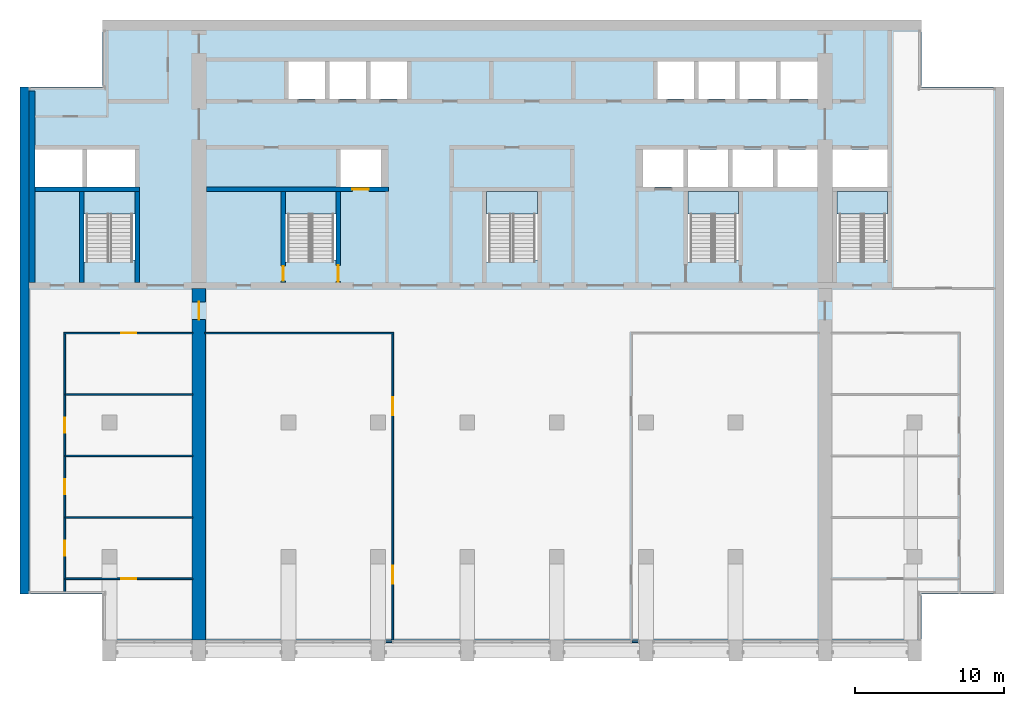
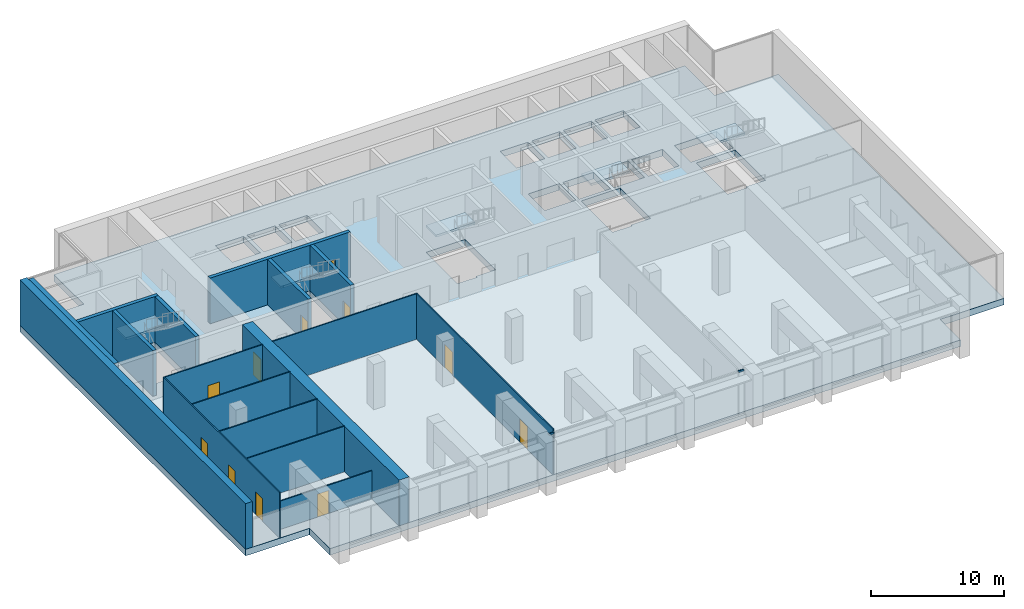
# One storey, part 6 of 13: 17 walls, 11 doors, 6 slabs, 2 members, 11 openings, 7 elements without a shape of their own.
"""IFC4 building model written with IfcOpenShell, lengths in metres."""

from ifc_helpers import new_model, si_unit, direction, frame, frame_2d, origin, origin_2d, place, context, subcontext, project, spatial, polyline, rectangle, outline, extrude, material, layer, layer_set, material_profile, profile_set, type_object, element, fill, aggregate, save


model = new_model("IFC4")

# Units and contexts
model_context = context("Model", 3, precision=1e-05, world=origin(), true_north=direction((0.0, 1.0)))
body_context = subcontext(model_context, "Body", "Model", "MODEL_VIEW")
ifc_project = project(units=[si_unit("LENGTHUNIT", "METRE"), si_unit("AREAUNIT", "SQUARE_METRE"), si_unit("VOLUMEUNIT", "CUBIC_METRE"), si_unit("PLANEANGLEUNIT", "RADIAN"), si_unit("MASSUNIT", "GRAM", prefix="KILO")], contexts=[model_context])

# Site, building, storey
site_placement = place(None, origin())
site = spatial("IfcSite", under=ifc_project, at=site_placement, CompositionType="ELEMENT")
building_placement = place(site_placement, origin())
building = spatial("IfcBuilding", under=site, at=building_placement, Name="Calvaro Tower", CompositionType="ELEMENT")
storey_placement = place(building_placement, frame((0.0, 0.0, 226.75)))
storey = spatial("IfcBuildingStorey", under=building, at=storey_placement, Name="L57", CompositionType="ELEMENT", Elevation=226.75)

# Curtain wall, member
ifc_material_1 = material(Name="Anodised aluminium", Category="aluminium")
curtain_wall_type = type_object("IfcCurtainWallType", Name="Louvre wall", PredefinedType="NOTDEFINED", material=ifc_material_1)
curtain_wall_1_placement = place(storey_placement, origin())
curtain_wall_1 = element("IfcCurtainWall", 1, at=curtain_wall_1_placement, inside=storey, type_object=curtain_wall_type, Name="CW8 south louvre wall", PredefinedType="NOTDEFINED")
ifc_material_2 = material(Name="Anodised aluminium", Category="aluminium")
ifc_material_profile = material_profile(ifc_material_2, rectangle(XDim=0.1201171875, YDim=0.10009765625, at=origin_2d()), Name="Transom LV 100 x 120")
ifc_profile_set = profile_set([ifc_material_profile], Name="Anodised aluminium")
member_type = type_object("IfcMemberType", Name="Transom LV 100 x 120", PredefinedType="USERDEFINED", material=ifc_profile_set)
member_1_placement = place(storey_placement, frame((30.530029296875, 4.300048828125, 3.949951171875), z_axis=(1.0, 0.0, 0.0), x_axis=(0.0, 1.0, 0.0)))
member_1 = element("IfcMember", 2, at=member_1_placement, type_object=member_type, Name="CW8 transom 1.1", ObjectType="TRANSOM", PredefinedType="USERDEFINED", context=body_context, shape_type="SweptSolid", body=[
    extrude(rectangle(XDim=0.1201171875, YDim=0.10009765625, at=origin_2d()), origin(), (0.0, 0.0, 1.0), 0.429931640625),
])
aggregate(curtain_wall_1, [member_1])

curtain_wall_2_placement = place(storey_placement, origin())
curtain_wall_2 = element("IfcCurtainWall", 3, at=curtain_wall_2_placement, inside=storey, type_object=curtain_wall_type, Name="CW8 south louvre wall", PredefinedType="NOTDEFINED")
member_2_placement = place(storey_placement, frame((47.0400390625, 4.300048828125, 3.949951171875), z_axis=(1.0, 0.0, 0.0), x_axis=(0.0, 1.0, 0.0)))
member_2 = element("IfcMember", 4, at=member_2_placement, type_object=member_type, Name="CW8 transom 2.1", ObjectType="TRANSOM", PredefinedType="USERDEFINED", context=body_context, shape_type="SweptSolid", body=[
    extrude(rectangle(XDim=0.1201171875, YDim=0.10009765625, at=origin_2d()), origin(), (0.0, 0.0, 1.0), 0.429931640625),
])
aggregate(curtain_wall_2, [member_2])

# Slab
ifc_material_3 = material(Name="Concrete C40/50", Category="concrete")
ifc_layer_1 = layer(ifc_material_3, 0.60009765625)
ifc_layer_set_1 = layer_set([ifc_layer_1], Name="Concrete C40/50")
slab_type_1 = type_object("IfcSlabType", Name="Floor slab 600 C40/50", PredefinedType="FLOOR", material=ifc_layer_set_1)
slab_1_placement = place(storey_placement, frame((0.0, 0.0, -0.60009765625)))
element("IfcSlab", 5, at=slab_1_placement, inside=storey, type_object=slab_type_1, Name="Floor slab", PredefinedType="FLOOR", context=body_context, shape_type="SweptSolid", body=[
    extrude(outline(polyline([(66.449951171875, 7.5), (66.449951171875, 4.39990234375), (11.550048828125, 4.39990234375), (11.550048828125, 7.5), (6.0, 7.5), (6.0, 41.5), (11.550048828125, 41.5), (11.550048828125, 46.0), (66.449951171875, 46.0), (66.449951171875, 41.5), (72.0, 41.5), (72.0, 7.5), (66.449951171875, 7.5)]), holes=[polyline([(12.0, 29.760009765625), (10.300048828125, 29.760009765625), (10.300048828125, 34.5), (12.0, 34.5), (13.699951171875, 34.5), (13.699951171875, 29.909912109375), (12.0, 29.909912109375), (12.0, 29.760009765625)]), polyline([(25.5, 29.760009765625), (23.800048828125, 29.760009765625), (23.800048828125, 34.5), (25.5, 34.5), (27.199951171875, 34.5), (27.199951171875, 29.909912109375), (25.5, 29.909912109375), (25.5, 29.760009765625)]), polyline([(39.0, 29.760009765625), (37.300048828125, 29.760009765625), (37.300048828125, 34.5), (39.0, 34.5), (40.699951171875, 34.5), (40.699951171875, 29.909912109375), (39.0, 29.909912109375), (39.0, 29.760009765625)]), polyline([(52.5, 29.760009765625), (50.800048828125, 29.760009765625), (50.800048828125, 34.5), (52.5, 34.5), (54.199951171875, 34.5), (54.199951171875, 29.909912109375), (52.5, 29.909912109375), (52.5, 29.760009765625)]), polyline([(62.5, 29.760009765625), (60.800048828125, 29.760009765625), (60.800048828125, 34.5), (62.5, 34.5), (64.199951171875, 34.5), (64.199951171875, 29.909912109375), (62.5, 29.909912109375), (62.5, 29.760009765625)]), polyline([(50.800048828125, 34.800048828125), (53.5, 34.800048828125), (53.5, 37.300048828125), (50.800048828125, 37.300048828125), (50.800048828125, 34.800048828125)]), polyline([(53.800048828125, 34.800048828125), (56.5, 34.800048828125), (56.5, 37.300048828125), (53.800048828125, 37.300048828125), (53.800048828125, 34.800048828125)]), polyline([(56.800048828125, 34.800048828125), (59.5, 34.800048828125), (59.5, 37.300048828125), (56.800048828125, 37.300048828125), (56.800048828125, 34.800048828125)]), polyline([(24.0, 40.699951171875), (26.449951171875, 40.699951171875), (26.449951171875, 43.199951171875), (24.0, 43.199951171875), (24.0, 40.699951171875)]), polyline([(26.75, 40.699951171875), (29.199951171875, 40.699951171875), (29.199951171875, 43.199951171875), (26.75, 43.199951171875), (26.75, 40.699951171875)]), polyline([(29.5, 40.699951171875), (31.949951171875, 40.699951171875), (31.949951171875, 43.199951171875), (29.5, 43.199951171875), (29.5, 40.699951171875)]), polyline([(48.75, 40.699951171875), (51.199951171875, 40.699951171875), (51.199951171875, 43.199951171875), (48.75, 43.199951171875), (48.75, 40.699951171875)]), polyline([(51.5, 40.699951171875), (53.949951171875, 40.699951171875), (53.949951171875, 43.199951171875), (51.5, 43.199951171875), (51.5, 40.699951171875)]), polyline([(54.25, 40.699951171875), (56.699951171875, 40.699951171875), (56.699951171875, 43.199951171875), (54.25, 43.199951171875), (54.25, 40.699951171875)]), polyline([(57.0, 40.699951171875), (59.5, 40.699951171875), (59.5, 43.199951171875), (57.0, 43.199951171875), (57.0, 40.699951171875)]), polyline([(7.0, 34.800048828125), (10.199951171875, 34.800048828125), (10.199951171875, 37.300048828125), (7.0, 37.300048828125), (7.0, 34.800048828125)]), polyline([(10.5, 34.800048828125), (13.699951171875, 34.800048828125), (13.699951171875, 37.300048828125), (10.5, 37.300048828125), (10.5, 34.800048828125)]), polyline([(60.5, 34.800048828125), (64.199951171875, 34.800048828125), (64.199951171875, 37.300048828125), (60.5, 37.300048828125), (60.5, 34.800048828125)]), polyline([(27.5, 34.800048828125), (30.199951171875, 34.800048828125), (30.199951171875, 37.300048828125), (27.5, 37.300048828125), (27.5, 34.800048828125)]), polyline([(47.800048828125, 34.800048828125), (50.5, 34.800048828125), (50.5, 37.300048828125), (47.800048828125, 37.300048828125), (47.800048828125, 34.800048828125)])]), origin(), (0.0, 0.0, 1.0), 0.60009765625),
])

# Stair, slab
ifc_material_4 = material(Name="Concrete C40/50", Category="concrete")
stair_type = type_object("IfcStairType", Name="Exit stair 1400 2 flights", PredefinedType="HALF_TURN_STAIR", material=ifc_material_4)
stair_1_placement = place(storey_placement, origin())
stair_1 = element("IfcStair", 6, at=stair_1_placement, inside=storey, type_object=stair_type, Name="Exit stair S1", PredefinedType="HALF_TURN_STAIR")
ifc_material_5 = material(Name="Concrete C40/50", Category="concrete")
ifc_layer_2 = layer(ifc_material_5, 0.199951171875)
ifc_layer_set_2 = layer_set([ifc_layer_2], Name="Concrete C40/50")
slab_type_2 = type_object("IfcSlabType", Name="Stair landing", PredefinedType="LANDING", material=ifc_layer_set_2)
slab_2_placement = place(storey_placement, frame((0.0, 0.0, 2.300048828125)))
slab_2 = element("IfcSlab", 7, at=slab_2_placement, type_object=slab_type_2, Name="Exit stair 1, landing 1", PredefinedType="LANDING", context=body_context, shape_type="SweptSolid", body=[
    extrude(outline(polyline([(11.89990234375, 32.989990234375), (10.5, 32.989990234375), (10.5, 33.0), (10.300048828125, 33.0), (10.300048828125, 34.5), (10.5, 34.5), (11.89990234375, 34.5), (12.10009765625, 34.5), (13.5, 34.5), (13.699951171875, 34.5), (13.699951171875, 33.0), (13.5, 33.0), (13.5, 32.989990234375), (12.10009765625, 32.989990234375), (12.10009765625, 33.0), (11.89990234375, 33.0), (11.89990234375, 32.989990234375)])), origin(), (0.0, 0.0, 1.0), 0.199951171875),
])
aggregate(stair_1, [slab_2])

stair_2_placement = place(storey_placement, origin())
stair_2 = element("IfcStair", 8, at=stair_2_placement, inside=storey, type_object=stair_type, Name="Exit stair S2", PredefinedType="HALF_TURN_STAIR")
slab_3_placement = place(storey_placement, frame((0.0, 0.0, 2.300048828125)))
slab_3 = element("IfcSlab", 9, at=slab_3_placement, type_object=slab_type_2, Name="Exit stair 2, landing 1", PredefinedType="LANDING", context=body_context, shape_type="SweptSolid", body=[
    extrude(outline(polyline([(25.39990234375, 32.989990234375), (24.0, 32.989990234375), (24.0, 33.0), (23.800048828125, 33.0), (23.800048828125, 34.5), (24.0, 34.5), (25.39990234375, 34.5), (25.60009765625, 34.5), (27.0, 34.5), (27.199951171875, 34.5), (27.199951171875, 33.0), (27.0, 33.0), (27.0, 32.989990234375), (25.60009765625, 32.989990234375), (25.60009765625, 33.0), (25.39990234375, 33.0), (25.39990234375, 32.989990234375)])), origin(), (0.0, 0.0, 1.0), 0.199951171875),
])
aggregate(stair_2, [slab_3])

stair_3_placement = place(storey_placement, origin())
stair_3 = element("IfcStair", 10, at=stair_3_placement, inside=storey, type_object=stair_type, Name="Exit stair S3", PredefinedType="HALF_TURN_STAIR")
slab_4_placement = place(storey_placement, frame((0.0, 0.0, 2.300048828125)))
slab_4 = element("IfcSlab", 11, at=slab_4_placement, type_object=slab_type_2, Name="Exit stair 3, landing 1", PredefinedType="LANDING", context=body_context, shape_type="SweptSolid", body=[
    extrude(outline(polyline([(38.89990234375, 32.989990234375), (37.5, 32.989990234375), (37.5, 33.0), (37.300048828125, 33.0), (37.300048828125, 34.5), (37.5, 34.5), (38.89990234375, 34.5), (39.10009765625, 34.5), (40.5, 34.5), (40.699951171875, 34.5), (40.699951171875, 33.0), (40.5, 33.0), (40.5, 32.989990234375), (39.10009765625, 32.989990234375), (39.10009765625, 33.0), (38.89990234375, 33.0), (38.89990234375, 32.989990234375)])), origin(), (0.0, 0.0, 1.0), 0.199951171875),
])
aggregate(stair_3, [slab_4])

stair_4_placement = place(storey_placement, origin())
stair_4 = element("IfcStair", 12, at=stair_4_placement, inside=storey, type_object=stair_type, Name="Exit stair S4", PredefinedType="HALF_TURN_STAIR")
slab_5_placement = place(storey_placement, frame((0.0, 0.0, 2.300048828125)))
slab_5 = element("IfcSlab", 13, at=slab_5_placement, type_object=slab_type_2, Name="Exit stair 4, landing 1", PredefinedType="LANDING", context=body_context, shape_type="SweptSolid", body=[
    extrude(outline(polyline([(52.39990234375, 32.989990234375), (51.0, 32.989990234375), (51.0, 33.0), (50.800048828125, 33.0), (50.800048828125, 34.5), (51.0, 34.5), (52.39990234375, 34.5), (52.60009765625, 34.5), (54.0, 34.5), (54.199951171875, 34.5), (54.199951171875, 33.0), (54.0, 33.0), (54.0, 32.989990234375), (52.60009765625, 32.989990234375), (52.60009765625, 33.0), (52.39990234375, 33.0), (52.39990234375, 32.989990234375)])), origin(), (0.0, 0.0, 1.0), 0.199951171875),
])
aggregate(stair_4, [slab_5])

stair_5_placement = place(storey_placement, origin())
stair_5 = element("IfcStair", 14, at=stair_5_placement, inside=storey, type_object=stair_type, Name="Exit stair S5", PredefinedType="HALF_TURN_STAIR")
slab_6_placement = place(storey_placement, frame((0.0, 0.0, 2.300048828125)))
slab_6 = element("IfcSlab", 15, at=slab_6_placement, type_object=slab_type_2, Name="Exit stair 5, landing 1", PredefinedType="LANDING", context=body_context, shape_type="SweptSolid", body=[
    extrude(outline(polyline([(62.39990234375, 32.989990234375), (61.0, 32.989990234375), (61.0, 33.0), (60.800048828125, 33.0), (60.800048828125, 34.5), (61.0, 34.5), (62.39990234375, 34.5), (62.60009765625, 34.5), (64.0, 34.5), (64.199951171875, 34.5), (64.199951171875, 33.0), (64.0, 33.0), (64.0, 32.989990234375), (62.60009765625, 32.989990234375), (62.60009765625, 33.0), (62.39990234375, 33.0), (62.39990234375, 32.989990234375)])), origin(), (0.0, 0.0, 1.0), 0.199951171875),
])
aggregate(stair_5, [slab_6])

# Walls
ifc_material_6 = material(Name="Concrete C50/60", Category="concrete")
ifc_layer_3 = layer(ifc_material_6, 0.300048828125)
ifc_layer_set_3 = layer_set([ifc_layer_3], Name="Concrete C50/60")
wall_type_1 = type_object("IfcWallType", Name="Core wall C50/60 300", PredefinedType="SHEAR", material=ifc_layer_set_3)
for number, where, z_axis, x_axis, name in (
    (16, (10.14990234375, 28.39990234375, 0.0), (0.0, 0.0, 1.0), (0.0, 1.0, 0.0), "Core wall, stair enclosure"),
    (17, (13.85009765625, 28.39990234375, 0.0), (0.0, 0.0, 1.0), (0.0, 1.0, 0.0), "Core wall, stair enclosure"),
):
    element("IfcWall", number, at=place(storey_placement, frame(where, z_axis=z_axis, x_axis=x_axis)), inside=storey, type_object=wall_type_1, Name=name, PredefinedType="SHEAR", context=body_context, shape_type="SweptSolid", body=[
        extrude(rectangle(XDim=6.10009765625, YDim=0.300048828125, at=frame_2d((3.050048828125, 0.0))), origin(), (0.0, 0.0, 1.0), 4.199951171875),
    ])

# Wall, opening, door
wall_1_placement = place(storey_placement, frame((23.64990234375, 34.5, 0.0), z_axis=(0.0, 0.0, 1.0), x_axis=(0.0, -1.0, 0.0)))
wall_1 = element("IfcWall", 18, at=wall_1_placement, inside=storey, type_object=wall_type_1, Name="Core wall, stair enclosure", PredefinedType="SHEAR", context=body_context, shape_type="SweptSolid", body=[
    extrude(rectangle(XDim=6.10009765625, YDim=0.300048828125, at=frame_2d((3.050048828125, 0.0))), origin(), (0.0, 0.0, 1.0), 4.199951171875),
])
opening_1_placement = place(wall_1_placement, frame((5.0, 0.0, 0.0)))
opening_1 = element("IfcOpeningElement", 19, at=opening_1_placement, cuts=wall_1, Name="Opening FD10D", PredefinedType="OPENING", context=body_context, shape_type="SweptSolid", body=[
    extrude(rectangle(XDim=1.0, YDim=2.10009765625, at=frame_2d((0.5, 1.050048828125))), frame((0.0, 0.159912109375, 0.0), z_axis=(0.0, -1.0, 0.0), x_axis=(1.0, 0.0, 0.0)), (0.0, 0.0, 1.0), 0.320068359375),
])
ifc_material_7 = material(Name="Steel door set", Category="steel")
door_type_1 = type_object("IfcDoorType", Name="Fire door 1000 FD30S", OperationType="SINGLE_SWING_LEFT", PredefinedType="DOOR", material=ifc_material_7)
door_1_placement = place(opening_1_placement, origin())
door_1 = element("IfcDoor", 20, at=door_1_placement, inside=storey, type_object=door_type_1, Name="Fire door", OperationType="SINGLE_SWING_RIGHT", OverallHeight=2.10009765625, OverallWidth=1.0, PredefinedType="DOOR", context=body_context, shape_type="SweptSolid", body=[
    extrude(rectangle(XDim=1.0, YDim=2.10009765625, at=frame_2d((0.5, 1.050048828125))), frame((0.0, 0.02490234375, 0.0), z_axis=(0.0, -1.0, 0.0), x_axis=(1.0, 0.0, 0.0)), (0.0, 0.0, 1.0), 0.050048828125),
])
fill(opening_1, door_1)

wall_2_placement = place(storey_placement, frame((27.35009765625, 28.39990234375, 0.0), z_axis=(0.0, 0.0, 1.0), x_axis=(0.0, 1.0, 0.0)))
wall_2 = element("IfcWall", 21, at=wall_2_placement, inside=storey, type_object=wall_type_1, Name="Core wall, stair enclosure", PredefinedType="SHEAR", context=body_context, shape_type="SweptSolid", body=[
    extrude(rectangle(XDim=6.10009765625, YDim=0.300048828125, at=frame_2d((3.050048828125, 0.0))), origin(), (0.0, 0.0, 1.0), 4.199951171875),
])
opening_2_placement = place(wall_2_placement, frame((0.050048828125, 0.0, 0.0)))
opening_2 = element("IfcOpeningElement", 22, at=opening_2_placement, cuts=wall_2, Name="Opening FD11D", PredefinedType="OPENING", context=body_context, shape_type="SweptSolid", body=[
    extrude(rectangle(XDim=1.10009765625, YDim=2.10009765625, at=frame_2d((0.550048828125, 1.050048828125))), frame((0.0, 0.159912109375, 0.0), z_axis=(0.0, -1.0, 0.0), x_axis=(1.0, 0.0, 0.0)), (0.0, 0.0, 1.0), 0.320068359375),
])
ifc_material_8 = material(Name="Steel door set", Category="steel")
door_type_2 = type_object("IfcDoorType", Name="Fire door 1100 FD30S", OperationType="SINGLE_SWING_LEFT", PredefinedType="DOOR", material=ifc_material_8)
door_2_placement = place(opening_2_placement, origin())
door_2 = element("IfcDoor", 23, at=door_2_placement, inside=storey, type_object=door_type_2, Name="Fire door", OperationType="SINGLE_SWING_LEFT", OverallHeight=2.10009765625, OverallWidth=1.10009765625, PredefinedType="DOOR", context=body_context, shape_type="SweptSolid", body=[
    extrude(rectangle(XDim=1.10009765625, YDim=2.10009765625, at=frame_2d((0.550048828125, 1.050048828125))), frame((0.0, 0.02490234375, 0.0), z_axis=(0.0, -1.0, 0.0), x_axis=(1.0, 0.0, 0.0)), (0.0, 0.0, 1.0), 0.050048828125),
])
fill(opening_2, door_2)

# Wall
wall_3_placement = place(storey_placement, frame((7.0, 34.64990234375, 0.0), z_axis=(0.0, 0.0, 1.0), x_axis=(1.0, 0.0, 0.0)))
element("IfcWall", 24, at=wall_3_placement, inside=storey, type_object=wall_type_1, Name="Core wall, lift shaft", PredefinedType="SHEAR", context=body_context, shape_type="SweptSolid", body=[
    extrude(rectangle(XDim=7.0, YDim=0.300048828125, at=frame_2d((3.5, 0.0))), origin(), (0.0, 0.0, 1.0), 4.199951171875),
])

# Wall, opening, door
wall_4_placement = place(storey_placement, frame((18.5, 34.64990234375, 0.0), z_axis=(0.0, 0.0, 1.0), x_axis=(1.0, 0.0, 0.0)))
wall_4 = element("IfcWall", 25, at=wall_4_placement, inside=storey, type_object=wall_type_1, Name="Core wall, lift shaft", PredefinedType="SHEAR", context=body_context, shape_type="SweptSolid", body=[
    extrude(rectangle(XDim=12.199951171875, YDim=0.300048828125, at=frame_2d((6.10009765625, 0.0))), origin(), (0.0, 0.0, 1.0), 4.199951171875),
])
opening_3_placement = place(wall_4_placement, frame((9.800048828125, 0.0, 0.0)))
opening_3 = element("IfcOpeningElement", 26, at=opening_3_placement, cuts=wall_4, Name="Opening FF1", PredefinedType="OPENING", context=body_context, shape_type="SweptSolid", body=[
    extrude(rectangle(XDim=1.10009765625, YDim=2.10009765625, at=frame_2d((0.550048828125, 1.050048828125))), frame((0.0, 0.159912109375, 0.0), z_axis=(0.0, -1.0, 0.0), x_axis=(1.0, 0.0, 0.0)), (0.0, 0.0, 1.0), 0.320068359375),
])
ifc_material_9 = material(Name="Stainless steel", Category="steel")
door_type_3 = type_object("IfcDoorType", Name="Landing door 1100 E 60", OperationType="SLIDING_TO_LEFT", PredefinedType="DOOR", material=ifc_material_9)
door_3_placement = place(opening_3_placement, origin())
door_3 = element("IfcDoor", 27, at=door_3_placement, inside=storey, type_object=door_type_3, Name="Landing door FF1", OperationType="SLIDING_TO_LEFT", OverallHeight=2.10009765625, OverallWidth=1.10009765625, PredefinedType="DOOR", context=body_context, shape_type="SweptSolid", body=[
    extrude(rectangle(XDim=1.10009765625, YDim=2.10009765625, at=frame_2d((0.550048828125, 1.050048828125))), frame((0.0, 0.02490234375, 0.0), z_axis=(0.0, -1.0, 0.0), x_axis=(1.0, 0.0, 0.0)), (0.0, 0.0, 1.0), 0.050048828125),
])
fill(opening_3, door_3)

# Walls
ifc_material_10 = material(Name="Concrete C50/60", Category="concrete")
ifc_layer_4 = layer(ifc_material_10, 0.39990234375)
ifc_layer_set_4 = layer_set([ifc_layer_4], Name="Concrete C50/60")
wall_type_2 = type_object("IfcWallType", Name="Core wall C50/60 400", PredefinedType="SHEAR", material=ifc_layer_set_4)
wall_5_placement = place(storey_placement, frame((6.800048828125, 28.39990234375, 0.0), z_axis=(0.0, 0.0, 1.0), x_axis=(0.0, 1.0, 0.0)))
element("IfcWall", 28, at=wall_5_placement, inside=storey, type_object=wall_type_2, Name="Core wall, boundary", PredefinedType="SHEAR", context=body_context, shape_type="SweptSolid", body=[
    extrude(rectangle(XDim=12.85009765625, YDim=0.39990234375, at=frame_2d((6.425048828125, 0.0))), origin(), (0.0, 0.0, 1.0), 4.199951171875),
])
ifc_material_11 = material(Name="Concrete C50/60", Category="concrete")
ifc_layer_5 = layer(ifc_material_11, 0.60009765625)
ifc_layer_set_5 = layer_set([ifc_layer_5], Name="Concrete C50/60")
wall_type_3 = type_object("IfcWallType", Name="End wall 600 C50/60", PredefinedType="SHEAR", material=ifc_layer_set_5)
wall_6_placement = place(storey_placement, frame((6.300048828125, 7.5, 0.0), z_axis=(0.0, 0.0, 1.0), x_axis=(0.0, 1.0, 0.0)))
element("IfcWall", 29, at=wall_6_placement, inside=storey, type_object=wall_type_3, Name="End shear wall", PredefinedType="SHEAR", context=body_context, shape_type="SweptSolid", body=[
    extrude(rectangle(XDim=34.0, YDim=0.60009765625, at=frame_2d((17.0, 0.0))), origin(), (0.0, 0.0, 1.0), 4.199951171875),
])

# Wall, opening, door
ifc_material_12 = material(Name="Concrete C50/60", Category="concrete")
ifc_layer_6 = layer(ifc_material_12, 0.89990234375)
ifc_layer_set_6 = layer_set([ifc_layer_6], Name="Concrete C50/60")
wall_type_4 = type_object("IfcWallType", Name="Outrigger wall 900 C50/60", PredefinedType="SHEAR", material=ifc_layer_set_6)
wall_7_placement = place(storey_placement, frame((18.0, 4.39990234375, 0.0), z_axis=(0.0, 0.0, 1.0), x_axis=(0.0, 1.0, 0.0)))
wall_7 = element("IfcWall", 30, at=wall_7_placement, inside=storey, type_object=wall_type_4, Name="Outrigger wall", PredefinedType="SHEAR", context=body_context, shape_type="SweptSolid", body=[
    extrude(rectangle(XDim=23.60009765625, YDim=0.89990234375, at=frame_2d((11.800048828125, 0.0))), origin(), (0.0, 0.0, 1.0), 4.199951171875),
])
opening_4_placement = place(wall_7_placement, frame((21.5, 0.0, 0.0)))
opening_4 = element("IfcOpeningElement", 31, at=opening_4_placement, cuts=wall_7, Name="Opening T33.016", PredefinedType="OPENING", context=body_context, shape_type="SweptSolid", body=[
    extrude(rectangle(XDim=1.199951171875, YDim=2.10009765625, at=frame_2d((0.60009765625, 1.050048828125))), frame((0.0, 0.4599609375, 0.0), z_axis=(0.0, -1.0, 0.0), x_axis=(1.0, 0.0, 0.0)), (0.0, 0.0, 1.0), 0.919921875),
])
ifc_material_13 = material(Name="Timber", Category="wood")
door_type_4 = type_object("IfcDoorType", Name="Internal single door 1200 x 2100 FD30S", OperationType="SINGLE_SWING_LEFT", PredefinedType="DOOR", material=ifc_material_13)
door_4_placement = place(opening_4_placement, origin())
door_4 = element("IfcDoor", 32, at=door_4_placement, inside=storey, type_object=door_type_4, Name="Door T33.016", OperationType="SINGLE_SWING_LEFT", OverallHeight=2.10009765625, OverallWidth=1.199951171875, PredefinedType="DOOR", context=body_context, shape_type="SweptSolid", body=[
    extrude(rectangle(XDim=1.199951171875, YDim=2.10009765625, at=frame_2d((0.60009765625, 1.050048828125))), frame((0.0, 0.02490234375, 0.0), z_axis=(0.0, -1.0, 0.0), x_axis=(1.0, 0.0, 0.0)), (0.0, 0.0, 1.0), 0.050048828125),
])
fill(opening_4, door_4)

ifc_material_14 = material(Name="Plasterboard on steel studs", Category="steel")
ifc_layer_7 = layer(ifc_material_14, 0.10009765625)
ifc_layer_set_7 = layer_set([ifc_layer_7], Name="Plasterboard on steel studs")
wall_type_5 = type_object("IfcWallType", Name="Partition 100 REI 120", PredefinedType="PARTITIONING", material=ifc_layer_set_7)
wall_8_placement = place(storey_placement, frame((9.050048828125, 8.52001953125, 0.0), z_axis=(0.0, 0.0, 1.0), x_axis=(1.0, 0.0, 0.0)))
wall_8 = element("IfcWall", 33, at=wall_8_placement, inside=storey, type_object=wall_type_5, Name="Partition T33.W001", PredefinedType="PARTITIONING", context=body_context, shape_type="SweptSolid", body=[
    extrude(rectangle(XDim=8.550048828125, YDim=0.10009765625, at=frame_2d((4.27490234375, 0.0))), origin(), (0.0, 0.0, 1.0), 2.60009765625),
])
opening_5_placement = place(wall_8_placement, frame((3.75, 0.0, 0.0)))
opening_5 = element("IfcOpeningElement", 34, at=opening_5_placement, cuts=wall_8, Name="Opening T33.001", PredefinedType="OPENING", context=body_context, shape_type="SweptSolid", body=[
    extrude(rectangle(XDim=1.0, YDim=2.10009765625, at=frame_2d((0.5, 1.050048828125))), frame((0.0, 0.06005859375, 0.0), z_axis=(0.0, -1.0, 0.0), x_axis=(1.0, 0.0, 0.0)), (0.0, 0.0, 1.0), 0.1201171875),
])
ifc_material_15 = material(Name="Timber", Category="wood")
door_type_5 = type_object("IfcDoorType", Name="Internal single door 1000 x 2100 FD60", OperationType="SINGLE_SWING_LEFT", PredefinedType="DOOR", material=ifc_material_15)
door_5_placement = place(opening_5_placement, origin())
door_5 = element("IfcDoor", 35, at=door_5_placement, inside=storey, type_object=door_type_5, Name="Door T33.001", OperationType="SINGLE_SWING_LEFT", OverallHeight=2.10009765625, OverallWidth=1.0, PredefinedType="DOOR", context=body_context, shape_type="SweptSolid", body=[
    extrude(rectangle(XDim=1.0, YDim=2.10009765625, at=frame_2d((0.5, 1.050048828125))), frame((0.0, 0.02490234375, 0.0), z_axis=(0.0, -1.0, 0.0), x_axis=(1.0, 0.0, 0.0)), (0.0, 0.0, 1.0), 0.050048828125),
])
fill(opening_5, door_5)

# Walls
for number, where, z_axis, x_axis, name in (
    (36, (9.050048828125, 12.639892578125, 0.0), (0.0, 0.0, 1.0), (1.0, 0.0, 0.0), "Partition T33.W003"),
    (37, (9.050048828125, 16.760009765625, 0.0), (0.0, 0.0, 1.0), (1.0, 0.0, 0.0), "Partition T33.W005"),
    (38, (9.050048828125, 20.8798828125, 0.0), (0.0, 0.0, 1.0), (1.0, 0.0, 0.0), "Partition T33.W007"),
):
    element("IfcWall", number, at=place(storey_placement, frame(where, z_axis=z_axis, x_axis=x_axis)), inside=storey, type_object=wall_type_5, Name=name, PredefinedType="PARTITIONING", context=body_context, shape_type="SweptSolid", body=[
        extrude(rectangle(XDim=8.550048828125, YDim=0.10009765625, at=frame_2d((4.27490234375, 0.0))), origin(), (0.0, 0.0, 1.0), 4.199951171875),
    ])

# Wall, opening, door
wall_9_placement = place(storey_placement, frame((8.949951171875, 25.0, 0.0), z_axis=(0.0, 0.0, 1.0), x_axis=(1.0, 0.0, 0.0)))
wall_9 = element("IfcWall", 39, at=wall_9_placement, inside=storey, type_object=wall_type_5, Name="Partition T33.W009", PredefinedType="PARTITIONING", context=body_context, shape_type="SweptSolid", body=[
    extrude(rectangle(XDim=8.650146484375, YDim=0.10009765625, at=frame_2d((4.3251953125, 0.0))), origin(), (0.0, 0.0, 1.0), 4.199951171875),
])
opening_6_placement = place(wall_9_placement, frame((3.85009765625, 0.0, 0.0)))
opening_6 = element("IfcOpeningElement", 40, at=opening_6_placement, cuts=wall_9, Name="Opening T33.013", PredefinedType="OPENING", context=body_context, shape_type="SweptSolid", body=[
    extrude(rectangle(XDim=1.0, YDim=2.10009765625, at=frame_2d((0.5, 1.050048828125))), frame((0.0, 0.06005859375, 0.0), z_axis=(0.0, -1.0, 0.0), x_axis=(1.0, 0.0, 0.0)), (0.0, 0.0, 1.0), 0.1201171875),
])
door_6_placement = place(opening_6_placement, origin())
door_6 = element("IfcDoor", 41, at=door_6_placement, inside=storey, type_object=door_type_5, Name="Door T33.013", OperationType="SINGLE_SWING_RIGHT", OverallHeight=2.10009765625, OverallWidth=1.0, PredefinedType="DOOR", context=body_context, shape_type="SweptSolid", body=[
    extrude(rectangle(XDim=1.0, YDim=2.10009765625, at=frame_2d((0.5, 1.050048828125))), frame((0.0, 0.02490234375, 0.0), z_axis=(0.0, -1.0, 0.0), x_axis=(1.0, 0.0, 0.0)), (0.0, 0.0, 1.0), 0.050048828125),
])
fill(opening_6, door_6)

# Wall
wall_10_placement = place(storey_placement, frame((18.39990234375, 25.0, 0.0), z_axis=(0.0, 0.0, 1.0), x_axis=(1.0, 0.0, 0.0)))
element("IfcWall", 42, at=wall_10_placement, inside=storey, type_object=wall_type_5, Name="Partition T33.W010", PredefinedType="PARTITIONING", context=body_context, shape_type="SweptSolid", body=[
    extrude(rectangle(XDim=12.650146484375, YDim=0.10009765625, at=frame_2d((6.3251953125, 0.0))), origin(), (0.0, 0.0, 1.0), 4.199951171875),
])

# Wall, openings, doors
wall_11_placement = place(storey_placement, frame((9.0, 7.5, 0.0), z_axis=(0.0, 0.0, 1.0), x_axis=(0.0, 1.0, 0.0)))
wall_11 = element("IfcWall", 43, at=wall_11_placement, inside=storey, type_object=wall_type_5, Name="Partition T33.W014", PredefinedType="PARTITIONING", context=body_context, shape_type="SweptSolid", body=[
    extrude(rectangle(XDim=17.449951171875, YDim=0.10009765625, at=frame_2d((8.72509765625, 0.0))), origin(), (0.0, 0.0, 1.0), 4.199951171875),
])
opening_7_placement = place(wall_11_placement, frame((2.580078125, 0.0, 0.0)))
opening_7 = element("IfcOpeningElement", 44, at=opening_7_placement, cuts=wall_11, Name="Opening T33.003", PredefinedType="OPENING", context=body_context, shape_type="SweptSolid", body=[
    extrude(rectangle(XDim=1.0, YDim=2.10009765625, at=frame_2d((0.5, 1.050048828125))), frame((0.0, 0.06005859375, 0.0), z_axis=(0.0, -1.0, 0.0), x_axis=(1.0, 0.0, 0.0)), (0.0, 0.0, 1.0), 0.1201171875),
])
opening_8_placement = place(wall_11_placement, frame((6.699951171875, 0.0, 0.0)))
opening_8 = element("IfcOpeningElement", 45, at=opening_8_placement, cuts=wall_11, Name="Opening T33.005", PredefinedType="OPENING", context=body_context, shape_type="SweptSolid", body=[
    extrude(rectangle(XDim=1.0, YDim=2.10009765625, at=frame_2d((0.5, 1.050048828125))), frame((0.0, 0.06005859375, 0.0), z_axis=(0.0, -1.0, 0.0), x_axis=(1.0, 0.0, 0.0)), (0.0, 0.0, 1.0), 0.1201171875),
])
opening_9_placement = place(wall_11_placement, frame((10.820068359375, 0.0, 0.0)))
opening_9 = element("IfcOpeningElement", 46, at=opening_9_placement, cuts=wall_11, Name="Opening T33.011", PredefinedType="OPENING", context=body_context, shape_type="SweptSolid", body=[
    extrude(rectangle(XDim=1.0, YDim=2.10009765625, at=frame_2d((0.5, 1.050048828125))), frame((0.0, 0.06005859375, 0.0), z_axis=(0.0, -1.0, 0.0), x_axis=(1.0, 0.0, 0.0)), (0.0, 0.0, 1.0), 0.1201171875),
])
door_7_placement = place(opening_7_placement, origin())
door_7 = element("IfcDoor", 47, at=door_7_placement, inside=storey, type_object=door_type_5, Name="Door T33.003", OperationType="SINGLE_SWING_LEFT", OverallHeight=2.10009765625, OverallWidth=1.0, PredefinedType="DOOR", context=body_context, shape_type="SweptSolid", body=[
    extrude(rectangle(XDim=1.0, YDim=2.10009765625, at=frame_2d((0.5, 1.050048828125))), frame((0.0, 0.02490234375, 0.0), z_axis=(0.0, -1.0, 0.0), x_axis=(1.0, 0.0, 0.0)), (0.0, 0.0, 1.0), 0.050048828125),
])
fill(opening_7, door_7)
door_8_placement = place(opening_8_placement, origin())
door_8 = element("IfcDoor", 48, at=door_8_placement, inside=storey, type_object=door_type_5, Name="Door T33.005", OperationType="SINGLE_SWING_LEFT", OverallHeight=2.10009765625, OverallWidth=1.0, PredefinedType="DOOR", context=body_context, shape_type="SweptSolid", body=[
    extrude(rectangle(XDim=1.0, YDim=2.10009765625, at=frame_2d((0.5, 1.050048828125))), frame((0.0, 0.02490234375, 0.0), z_axis=(0.0, -1.0, 0.0), x_axis=(1.0, 0.0, 0.0)), (0.0, 0.0, 1.0), 0.050048828125),
])
fill(opening_8, door_8)
door_9_placement = place(opening_9_placement, origin())
door_9 = element("IfcDoor", 49, at=door_9_placement, inside=storey, type_object=door_type_5, Name="Door T33.011", OperationType="SINGLE_SWING_RIGHT", OverallHeight=2.10009765625, OverallWidth=1.0, PredefinedType="DOOR", context=body_context, shape_type="SweptSolid", body=[
    extrude(rectangle(XDim=1.0, YDim=2.10009765625, at=frame_2d((0.5, 1.050048828125))), frame((0.0, 0.02490234375, 0.0), z_axis=(0.0, -1.0, 0.0), x_axis=(1.0, 0.0, 0.0)), (0.0, 0.0, 1.0), 0.050048828125),
])
fill(opening_9, door_9)

wall_12_placement = place(storey_placement, frame((31.0, 4.39990234375, 0.0), z_axis=(0.0, 0.0, 1.0), x_axis=(0.0, 1.0, 0.0)))
wall_12 = element("IfcWall", 50, at=wall_12_placement, inside=storey, type_object=wall_type_5, Name="Partition T33.W015", PredefinedType="PARTITIONING", context=body_context, shape_type="SweptSolid", body=[
    extrude(rectangle(XDim=20.550048828125, YDim=0.10009765625, at=frame_2d((10.27490234375, 0.0))), origin(), (0.0, 0.0, 1.0), 4.199951171875),
])
opening_10_placement = place(wall_12_placement, frame((3.800048828125, 0.0, 0.0)))
opening_10 = element("IfcOpeningElement", 51, at=opening_10_placement, cuts=wall_12, Name="Opening T33.006", PredefinedType="OPENING", context=body_context, shape_type="SweptSolid", body=[
    extrude(rectangle(XDim=1.199951171875, YDim=2.10009765625, at=frame_2d((0.60009765625, 1.050048828125))), frame((0.0, 0.06005859375, 0.0), z_axis=(0.0, -1.0, 0.0), x_axis=(1.0, 0.0, 0.0)), (0.0, 0.0, 1.0), 0.1201171875),
])
opening_11_placement = place(wall_12_placement, frame((15.10009765625, 0.0, 0.0)))
opening_11 = element("IfcOpeningElement", 52, at=opening_11_placement, cuts=wall_12, Name="Opening T33.007", PredefinedType="OPENING", context=body_context, shape_type="SweptSolid", body=[
    extrude(rectangle(XDim=1.199951171875, YDim=2.10009765625, at=frame_2d((0.60009765625, 1.050048828125))), frame((0.0, 0.06005859375, 0.0), z_axis=(0.0, -1.0, 0.0), x_axis=(1.0, 0.0, 0.0)), (0.0, 0.0, 1.0), 0.1201171875),
])
door_10_placement = place(opening_10_placement, origin())
door_10 = element("IfcDoor", 53, at=door_10_placement, inside=storey, type_object=door_type_4, Name="Door T33.006", OperationType="SINGLE_SWING_LEFT", OverallHeight=2.10009765625, OverallWidth=1.199951171875, PredefinedType="DOOR", context=body_context, shape_type="SweptSolid", body=[
    extrude(rectangle(XDim=1.199951171875, YDim=2.10009765625, at=frame_2d((0.60009765625, 1.050048828125))), frame((0.0, 0.02490234375, 0.0), z_axis=(0.0, -1.0, 0.0), x_axis=(1.0, 0.0, 0.0)), (0.0, 0.0, 1.0), 0.050048828125),
])
fill(opening_10, door_10)
door_11_placement = place(opening_11_placement, origin())
door_11 = element("IfcDoor", 54, at=door_11_placement, inside=storey, type_object=door_type_4, Name="Door T33.007", OperationType="SINGLE_SWING_RIGHT", OverallHeight=2.10009765625, OverallWidth=1.199951171875, PredefinedType="DOOR", context=body_context, shape_type="SweptSolid", body=[
    extrude(rectangle(XDim=1.199951171875, YDim=2.10009765625, at=frame_2d((0.60009765625, 1.050048828125))), frame((0.0, 0.02490234375, 0.0), z_axis=(0.0, -1.0, 0.0), x_axis=(1.0, 0.0, 0.0)), (0.0, 0.0, 1.0), 0.050048828125),
])
fill(opening_11, door_11)

save(model, "model.ifc")
